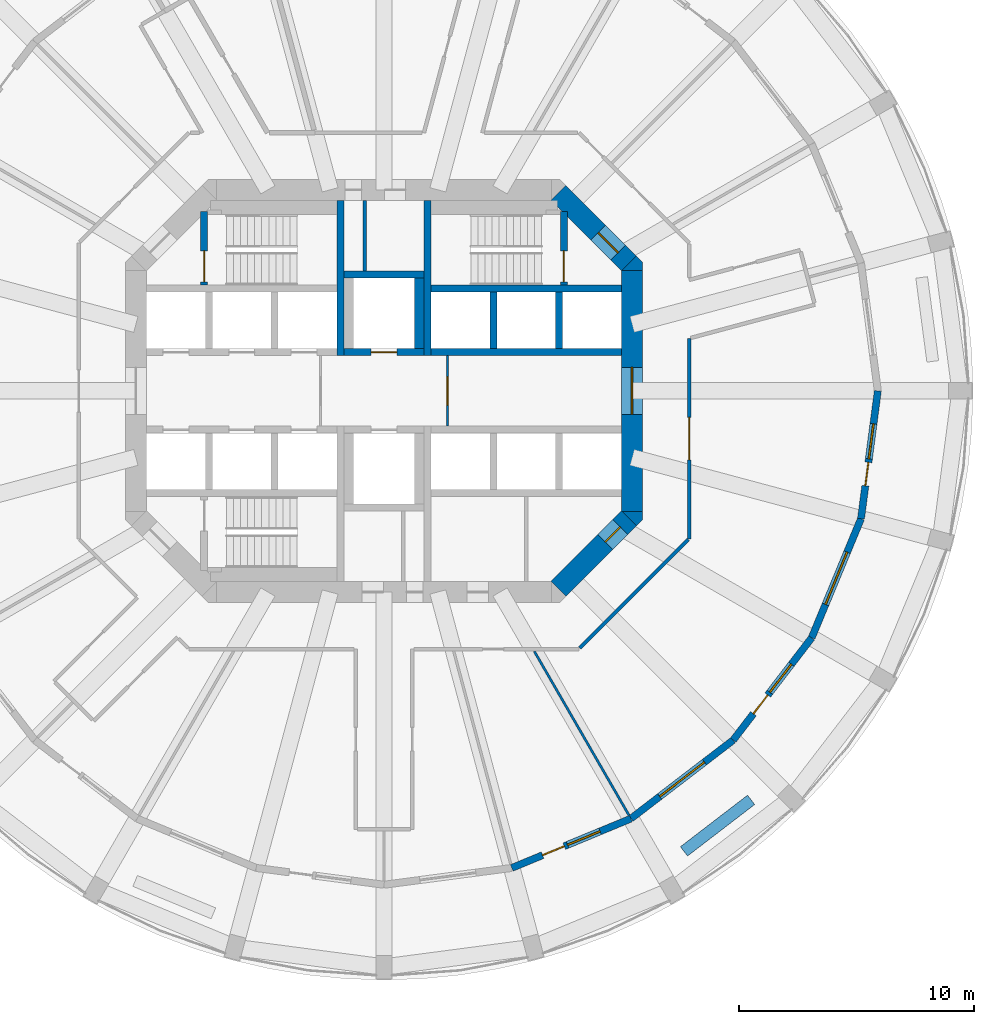
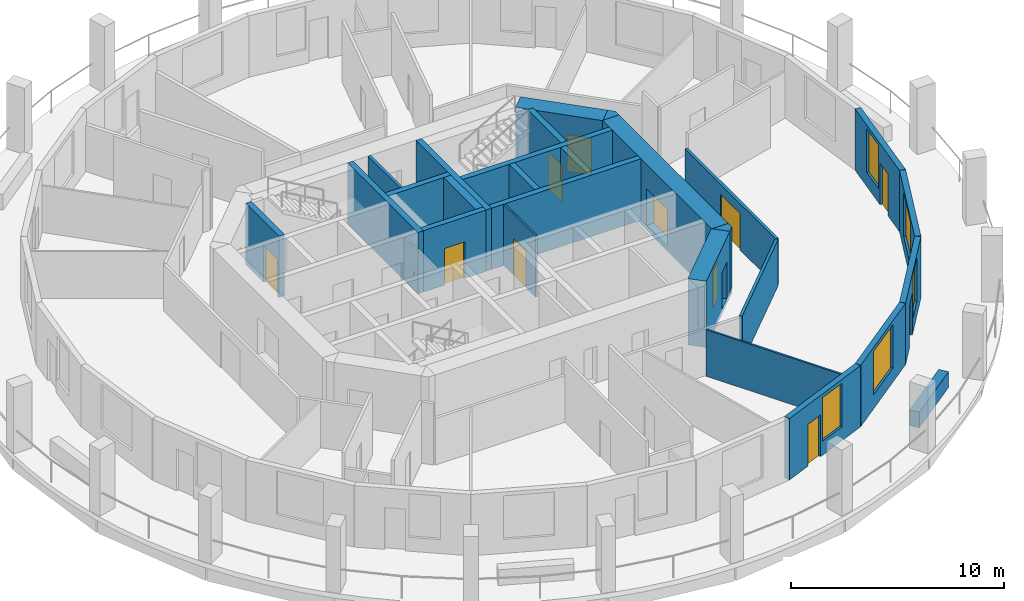
# One storey, part 4 of 8: 27 walls, 11 doors, 5 windows, 16 openings.
"""IFC4 building model written with IfcOpenShell, lengths in metres."""

from ifc_helpers import new_model, si_unit, direction, frame, frame_2d, origin, place, context, subcontext, project, spatial, polyline, rectangle, outline, extrude, material, layer, layer_set, type_object, element, fill, save


model = new_model("IFC4")

# Units and contexts
model_context = context("Model", 3, precision=1e-05, world=origin(), true_north=direction((0.0, 1.0)))
body_context = subcontext(model_context, "Body", "Model", "MODEL_VIEW")
ifc_project = project(units=[si_unit("LENGTHUNIT", "METRE"), si_unit("AREAUNIT", "SQUARE_METRE"), si_unit("VOLUMEUNIT", "CUBIC_METRE"), si_unit("PLANEANGLEUNIT", "RADIAN"), si_unit("MASSUNIT", "GRAM", prefix="KILO")], contexts=[model_context])

# Site, building, storey
site_placement = place(None, origin())
site = spatial("IfcSite", under=ifc_project, at=site_placement, CompositionType="ELEMENT")
building_placement = place(site_placement, origin())
building = spatial("IfcBuilding", under=site, at=building_placement, Name="Torre Triforio", CompositionType="ELEMENT")
storey_placement = place(building_placement, frame((0.0, 0.0, 127.60009765625)))
storey = spatial("IfcBuildingStorey", under=building, at=storey_placement, Name="L28", CompositionType="ELEMENT", Elevation=127.60009765625)

# Walls
ifc_material_1 = material(Name="Concrete C60", Category="concrete")
ifc_layer_1 = layer(ifc_material_1, 0.300048828125)
ifc_layer_set_1 = layer_set([ifc_layer_1], Name="Concrete C60")
wall_type_1 = type_object("IfcWallType", Name="Core wall 300 mm C60 EI 120", PredefinedType="SHEAR", material=ifc_layer_set_1)
for number, where, z_axis, x_axis, name in (
    (1, (-1.85009765625, 1.5, 0.0), (0.0, 0.0, 1.0), (0.0, 1.0, 0.0), "Core wall"),
    (2, (1.85009765625, 1.5, 0.0), (0.0, 0.0, 1.0), (0.0, 1.0, 0.0), "Core wall"),
):
    element("IfcWall", number, at=place(storey_placement, frame(where, z_axis=z_axis, x_axis=x_axis)), inside=storey, type_object=wall_type_1, Name=name, PredefinedType="SHEAR", context=body_context, shape_type="SweptSolid", body=[
        extrude(rectangle(XDim=6.60009765625, YDim=0.300048828125, at=frame_2d((3.300048828125, 0.0))), origin(), (0.0, 0.0, 1.0), 3.52001953125),
    ])

# Wall, opening, door
ifc_layer_2 = layer(ifc_material_1, 0.89990234375)
ifc_layer_set_2 = layer_set([ifc_layer_2], Name="Concrete C60")
wall_type_2 = type_object("IfcWallType", Name="Core wall 900 mm C60 EI 120", PredefinedType="SHEAR", material=ifc_layer_set_2)
wall_1_placement = place(storey_placement, frame((10.550048828125, -5.1298828125, -0.280029296875), z_axis=(0.0, 0.0, 1.0), x_axis=(0.0, 1.0, 0.0)))
wall_1 = element("IfcWall", 3, at=wall_1_placement, inside=storey, type_object=wall_type_2, Name="Core wall", PredefinedType="SHEAR", context=body_context, shape_type="SweptSolid", body=[
    extrude(rectangle(XDim=10.259765625, YDim=0.89990234375, at=frame_2d((5.1298828125, 0.0))), origin(), (0.0, 0.0, 1.0), 3.800048828125),
])
opening_1_placement = place(wall_1_placement, frame((4.1298828125, 0.0, 0.280029296875)))
opening_1 = element("IfcOpeningElement", 4, at=opening_1_placement, cuts=wall_1, Name="Opening E-RING", PredefinedType="OPENING", context=body_context, shape_type="SweptSolid", body=[
    extrude(rectangle(XDim=2.0, YDim=2.10009765625, at=frame_2d((1.0, 1.050048828125))), frame((0.0, 0.4599609375, 0.0), z_axis=(0.0, -1.0, 0.0), x_axis=(1.0, 0.0, 0.0)), (0.0, 0.0, 1.0), 0.919921875),
])
ifc_material_2 = material(Name="Hollow metal fire door leaf")
door_type_1 = type_object("IfcDoorType", Name="Lobby door 2000 x 2100 EI 60", OperationType="DOUBLE_DOOR_SINGLE_SWING", PredefinedType="DOOR", material=ifc_material_2)
door_1_placement = place(opening_1_placement, origin())
door_1 = element("IfcDoor", 5, at=door_1_placement, inside=storey, type_object=door_type_1, Name="Core door E-RING", OperationType="DOUBLE_DOOR_SINGLE_SWING", OverallHeight=2.10009765625, OverallWidth=2.0, PredefinedType="DOOR", context=body_context, shape_type="SweptSolid", body=[
    extrude(rectangle(XDim=2.0, YDim=2.10009765625, at=frame_2d((1.0, 1.050048828125))), frame((0.0, 0.02490234375, 0.0), z_axis=(0.0, -1.0, 0.0), x_axis=(1.0, 0.0, 0.0)), (0.0, 0.0, 1.0), 0.050048828125),
])
fill(opening_1, door_1)

wall_2_placement = place(storey_placement, frame((7.418212890625, 8.418212890625, -0.280029296875), z_axis=(0.0, 0.0, 1.0), x_axis=(0.707106781187, -0.707106781187, 0.0)))
wall_2 = element("IfcWall", 6, at=wall_2_placement, inside=storey, type_object=wall_type_2, Name="Core wall", PredefinedType="SHEAR", context=body_context, shape_type="SweptSolid", body=[
    extrude(rectangle(XDim=4.24267578125, YDim=0.89990234375, at=frame_2d((2.121337890625, 0.0))), origin(), (0.0, 0.0, 1.0), 3.800048828125),
])
opening_2_placement = place(wall_2_placement, frame((2.392578125, 0.0, 0.280029296875)))
opening_2 = element("IfcOpeningElement", 7, at=opening_2_placement, cuts=wall_2, Name="Opening ST2-EXIT", PredefinedType="OPENING", context=body_context, shape_type="SweptSolid", body=[
    extrude(rectangle(XDim=1.199951171875, YDim=2.10009765625, at=frame_2d((0.60009765625, 1.050048828125))), frame((0.0, 0.4599609375, 0.0), z_axis=(0.0, -1.0, 0.0), x_axis=(1.0, 0.0, 0.0)), (0.0, 0.0, 1.0), 0.919921875),
])
door_type_2 = type_object("IfcDoorType", Name="Stair lobby door 1200 x 2100 EI 60", OperationType="NOTDEFINED", PredefinedType="DOOR", material=ifc_material_2)
door_2_placement = place(opening_2_placement, origin())
door_2 = element("IfcDoor", 8, at=door_2_placement, inside=storey, type_object=door_type_2, Name="Core door ST2-EXIT", OperationType="SINGLE_SWING_RIGHT", OverallHeight=2.10009765625, OverallWidth=1.199951171875, PredefinedType="DOOR", context=body_context, shape_type="SweptSolid", body=[
    extrude(rectangle(XDim=1.199951171875, YDim=2.10009765625, at=frame_2d((0.60009765625, 1.050048828125))), frame((0.0, 0.02490234375, 0.0), z_axis=(0.0, -1.0, 0.0), x_axis=(1.0, 0.0, 0.0)), (0.0, 0.0, 1.0), 0.050048828125),
])
fill(opening_2, door_2)

wall_3_placement = place(storey_placement, frame((10.418212890625, -5.418212890625, -0.280029296875), z_axis=(0.0, 0.0, 1.0), x_axis=(-0.707106781187, -0.707106781187, 0.0)))
wall_3 = element("IfcWall", 9, at=wall_3_placement, inside=storey, type_object=wall_type_2, Name="Core wall", PredefinedType="SHEAR", context=body_context, shape_type="SweptSolid", body=[
    extrude(rectangle(XDim=4.24267578125, YDim=0.89990234375, at=frame_2d((2.121337890625, 0.0))), origin(), (0.0, 0.0, 1.0), 3.800048828125),
])
opening_3_placement = place(wall_3_placement, frame((0.52001953125, 0.0, 0.280029296875)))
opening_3 = element("IfcOpeningElement", 10, at=opening_3_placement, cuts=wall_3, Name="Opening SE-02", PredefinedType="OPENING", context=body_context, shape_type="SweptSolid", body=[
    extrude(rectangle(XDim=0.89990234375, YDim=2.10009765625, at=frame_2d((0.449951171875, 1.050048828125))), frame((0.0, 0.4599609375, 0.0), z_axis=(0.0, -1.0, 0.0), x_axis=(1.0, 0.0, 0.0)), (0.0, 0.0, 1.0), 0.919921875),
])
door_type_3 = type_object("IfcDoorType", Name="Room door 900 x 2100 EI 60", OperationType="NOTDEFINED", PredefinedType="DOOR", material=ifc_material_2)
door_3_placement = place(opening_3_placement, origin())
door_3 = element("IfcDoor", 11, at=door_3_placement, inside=storey, type_object=door_type_3, Name="Core door SE-02", OperationType="SINGLE_SWING_RIGHT", OverallHeight=2.10009765625, OverallWidth=0.89990234375, PredefinedType="DOOR", context=body_context, shape_type="SweptSolid", body=[
    extrude(rectangle(XDim=0.89990234375, YDim=2.10009765625, at=frame_2d((0.449951171875, 1.050048828125))), frame((0.0, 0.02490234375, 0.0), z_axis=(0.0, -1.0, 0.0), x_axis=(1.0, 0.0, 0.0)), (0.0, 0.0, 1.0), 0.050048828125),
])
fill(opening_3, door_3)

# Walls
wall_4_placement = place(storey_placement, frame((0.0, 0.0, -0.280029296875)))
element("IfcWall", 12, at=wall_4_placement, inside=storey, type_object=wall_type_2, Name="Core wall", PredefinedType="SHEAR", context=body_context, shape_type="SweptSolid", body=[
    extrude(outline(polyline([(11.0, -5.472900390625), (10.736328125, -5.736328125), (10.1298828125, -5.1298828125), (11.0, -5.1298828125), (11.0, -5.472900390625)])), origin(), (0.0, 0.0, 1.0), 3.800048828125),
])
wall_5_placement = place(storey_placement, frame((0.0, 0.0, -0.280029296875)))
element("IfcWall", 13, at=wall_5_placement, inside=storey, type_object=wall_type_2, Name="Core wall", PredefinedType="SHEAR", context=body_context, shape_type="SweptSolid", body=[
    extrude(outline(polyline([(11.0, 5.472900390625), (11.0, 5.1298828125), (10.1298828125, 5.1298828125), (10.736328125, 5.736328125), (11.0, 5.472900390625)])), origin(), (0.0, 0.0, 1.0), 3.800048828125),
])

# Wall, opening, door
ifc_material_3 = material(Name="Plasterboard on metal studs")
ifc_layer_3 = layer(ifc_material_3, 0.14990234375)
ifc_layer_set_3 = layer_set([ifc_layer_3], Name="Plasterboard on metal studs")
wall_type_3 = type_object("IfcWallType", Name="Corridor and tenancy wall 150 mm EI 60", PredefinedType="PARTITIONING", material=ifc_layer_set_3)
wall_6_placement = place(storey_placement, frame((12.97509765625, 2.234375, 0.0), z_axis=(0.0, 0.0, 1.0), x_axis=(0.0, -1.0, 0.0)))
wall_6 = element("IfcWall", 14, at=wall_6_placement, inside=storey, type_object=wall_type_3, Name="Partition 22", PredefinedType="PARTITIONING", context=body_context, shape_type="SweptSolid", body=[
    extrude(rectangle(XDim=8.525390625, YDim=0.14990234375, at=frame_2d((4.2626953125, 0.0))), origin(), (0.0, 0.0, 1.0), 2.669921875),
])
opening_4_placement = place(wall_6_placement, frame((3.362548828125, 0.0, 0.0)))
opening_4 = element("IfcOpeningElement", 15, at=opening_4_placement, cuts=wall_6, Name="Opening D2-07", PredefinedType="OPENING", context=body_context, shape_type="SweptSolid", body=[
    extrude(rectangle(XDim=1.800048828125, YDim=2.10009765625, at=frame_2d((0.89990234375, 1.050048828125))), frame((0.0, 0.0849609375, 0.0), z_axis=(0.0, -1.0, 0.0), x_axis=(1.0, 0.0, 0.0)), (0.0, 0.0, 1.0), 0.169921875),
])
ifc_material_4 = material(Name="Timber", Category="wood")
door_type_4 = type_object("IfcDoorType", Name="Door 1800 x 2100 double leaf EI 30", OperationType="DOUBLE_DOOR_SINGLE_SWING", PredefinedType="DOOR", material=ifc_material_4)
door_4_placement = place(opening_4_placement, origin())
door_4 = element("IfcDoor", 16, at=door_4_placement, inside=storey, type_object=door_type_4, Name="Door D2-07", OperationType="DOUBLE_DOOR_SINGLE_SWING", OverallHeight=2.10009765625, OverallWidth=1.800048828125, PredefinedType="DOOR", context=body_context, shape_type="SweptSolid", body=[
    extrude(rectangle(XDim=1.800048828125, YDim=2.10009765625, at=frame_2d((0.89990234375, 1.050048828125))), frame((0.0, 0.02490234375, 0.0), z_axis=(0.0, -1.0, 0.0), x_axis=(1.0, 0.0, 0.0)), (0.0, 0.0, 1.0), 0.050048828125),
])
fill(opening_4, door_4)

# Wall
wall_7_placement = place(storey_placement, frame((12.93798828125, -6.327880859375, 0.0), z_axis=(0.0, 0.0, 1.0), x_axis=(-0.707106781187, -0.707106781187, 0.0)))
element("IfcWall", 17, at=wall_7_placement, inside=storey, type_object=wall_type_3, Name="Partition 23", PredefinedType="PARTITIONING", context=body_context, shape_type="SweptSolid", body=[
    extrude(rectangle(XDim=6.519775390625, YDim=0.14990234375, at=frame_2d((3.259765625, 0.0))), origin(), (0.0, 0.0, 1.0), 2.669921875),
])

# Wall, opening, door
ifc_material_5 = material(Name="Block and board partition")
ifc_layer_4 = layer(ifc_material_5, 0.10009765625)
ifc_layer_set_4 = layer_set([ifc_layer_4], Name="Block and board partition")
wall_type_4 = type_object("IfcWallType", Name="Partition 100 mm EI 120", PredefinedType="PARTITIONING", material=ifc_layer_set_4)
wall_8_placement = place(storey_placement, frame((2.699951171875, -1.5, 0.0), z_axis=(0.0, 0.0, 1.0), x_axis=(0.0, 1.0, 0.0)))
wall_8 = element("IfcWall", 18, at=wall_8_placement, inside=storey, type_object=wall_type_4, Name="Partition", PredefinedType="PARTITIONING", context=body_context, shape_type="SweptSolid", body=[
    extrude(rectangle(XDim=3.0, YDim=0.10009765625, at=frame_2d((1.5, 0.0))), origin(), (0.0, 0.0, 1.0), 3.52001953125),
])
opening_5_placement = place(wall_8_placement, frame((0.89990234375, 0.0, 0.0)))
opening_5 = element("IfcOpeningElement", 19, at=opening_5_placement, cuts=wall_8, Name="Opening FF-E", PredefinedType="OPENING", context=body_context, shape_type="SweptSolid", body=[
    extrude(rectangle(XDim=1.199951171875, YDim=2.10009765625, at=frame_2d((0.60009765625, 1.050048828125))), frame((0.0, 0.06005859375, 0.0), z_axis=(0.0, -1.0, 0.0), x_axis=(1.0, 0.0, 0.0)), (0.0, 0.0, 1.0), 0.1201171875),
])
door_type_5 = type_object("IfcDoorType", Name="Fire-fighting lobby door 1200 x 2100 EI 60", OperationType="NOTDEFINED", PredefinedType="DOOR", material=ifc_material_2)
door_5_placement = place(opening_5_placement, origin())
door_5 = element("IfcDoor", 20, at=door_5_placement, inside=storey, type_object=door_type_5, Name="Core door FF-E", OperationType="SINGLE_SWING_RIGHT", OverallHeight=2.10009765625, OverallWidth=1.199951171875, PredefinedType="DOOR", context=body_context, shape_type="SweptSolid", body=[
    extrude(rectangle(XDim=1.199951171875, YDim=2.10009765625, at=frame_2d((0.60009765625, 1.050048828125))), frame((0.0, 0.02490234375, 0.0), z_axis=(0.0, -1.0, 0.0), x_axis=(1.0, 0.0, 0.0)), (0.0, 0.0, 1.0), 0.050048828125),
])
fill(opening_5, door_5)

# Walls
ifc_layer_5 = layer(ifc_material_3, 0.10009765625)
ifc_layer_set_5 = layer_set([ifc_layer_5], Name="Plasterboard on metal studs")
wall_type_5 = type_object("IfcWallType", Name="Partition 100 mm board on metal studs", PredefinedType="PARTITIONING", material=ifc_layer_set_5)
wall_9_placement = place(storey_placement, frame((6.393798828125, -11.07470703125, 0.0), z_axis=(0.0, 0.0, 1.0), x_axis=(0.500024397361, -0.866011317503, 0.0)))
element("IfcWall", 21, at=wall_9_placement, inside=storey, type_object=wall_type_5, Name="Partition 45", PredefinedType="PARTITIONING", context=body_context, shape_type="SweptSolid", body=[
    extrude(rectangle(XDim=8.048828125, YDim=0.10009765625, at=frame_2d((4.0244140625, 0.0))), origin(), (0.0, 0.0, 1.0), 2.669921875),
])
ifc_layer_6 = layer(ifc_material_5, 0.14990234375)
ifc_layer_set_6 = layer_set([ifc_layer_6], Name="Block and board partition")
wall_type_6 = type_object("IfcWallType", Name="Partition 150 mm EI 120", PredefinedType="PARTITIONING", material=ifc_layer_set_6)
wall_10_placement = place(storey_placement, frame((-0.824951171875, 5.10009765625, 0.0), z_axis=(0.0, 0.0, 1.0), x_axis=(0.0, 1.0, 0.0)))
element("IfcWall", 22, at=wall_10_placement, inside=storey, type_object=wall_type_6, Name="Partition", PredefinedType="PARTITIONING", context=body_context, shape_type="SweptSolid", body=[
    extrude(rectangle(XDim=3.0, YDim=0.14990234375, at=frame_2d((1.5, 0.0))), origin(), (0.0, 0.0, 1.0), 3.52001953125),
])
ifc_material_6 = material(Name="Limestone cladding", Category="masonry")
ifc_layer_7 = layer(ifc_material_6, 0.10009765625)
ifc_material_7 = material(Name="Concrete C40", Category="concrete")
ifc_layer_8 = layer(ifc_material_7, 0.39990234375)
ifc_layer_set_7 = layer_set([ifc_layer_7, ifc_layer_8], Name="Limestone cladding / Concrete C40")
wall_type_7 = type_object("IfcWallType", Name="Planter wall 500", PredefinedType="PARAPET", material=ifc_layer_set_7)
wall_11_placement = place(storey_placement, frame((12.756103515625, -19.580810546875, 0.0), z_axis=(0.0, 0.0, 1.0), x_axis=(0.793384730612, 0.608720518162, 0.0)))
element("IfcWall", 23, at=wall_11_placement, inside=storey, type_object=wall_type_7, Name="Planter L28 bay 21", PredefinedType="PARAPET", context=body_context, shape_type="SweptSolid", body=[
    extrude(rectangle(XDim=3.60009765625, YDim=0.5, at=frame_2d((1.800048828125, 0.0))), origin(), (0.0, 0.0, 1.0), 0.89990234375),
])
ifc_layer_9 = layer(ifc_material_1, 0.300048828125)
ifc_layer_set_8 = layer_set([ifc_layer_9], Name="Concrete C60")
wall_type_8 = type_object("IfcWallType", Name="Shaft wall 300 mm C60 EI 120", PredefinedType="SOLIDWALL", material=ifc_layer_set_8)
for number, where, z_axis, x_axis, name in (
    (24, (2.0, 4.35009765625, 0.0), (0.0, 0.0, 1.0), (1.0, 0.0, 0.0), "Shaft wall"),
    (25, (2.0, 1.64990234375, 0.0), (0.0, 0.0, 1.0), (1.0, 0.0, 0.0), "Shaft wall"),
):
    element("IfcWall", number, at=place(storey_placement, frame(where, z_axis=z_axis, x_axis=x_axis)), inside=storey, type_object=wall_type_8, Name=name, PredefinedType="SOLIDWALL", context=body_context, shape_type="SweptSolid", body=[
        extrude(rectangle(XDim=8.10009765625, YDim=0.300048828125, at=frame_2d((4.050048828125, 0.0))), origin(), (0.0, 0.0, 1.0), 3.52001953125),
    ])
for number, where, z_axis, x_axis, name in (
    (26, (4.64990234375, 1.800048828125, 0.0), (0.0, 0.0, 1.0), (0.0, 1.0, 0.0), "Shaft wall"),
    (27, (7.449951171875, 1.800048828125, 0.0), (0.0, 0.0, 1.0), (0.0, 1.0, 0.0), "Shaft wall"),
):
    element("IfcWall", number, at=place(storey_placement, frame(where, z_axis=z_axis, x_axis=x_axis)), inside=storey, type_object=wall_type_8, Name=name, PredefinedType="SOLIDWALL", context=body_context, shape_type="SweptSolid", body=[
        extrude(rectangle(XDim=2.39990234375, YDim=0.300048828125, at=frame_2d((1.199951171875, 0.0))), origin(), (0.0, 0.0, 1.0), 3.52001953125),
    ])

# Wall, opening, door
wall_12_placement = place(storey_placement, frame((-1.699951171875, 1.64990234375, 0.0), z_axis=(0.0, 0.0, 1.0), x_axis=(1.0, 0.0, 0.0)))
wall_12 = element("IfcWall", 28, at=wall_12_placement, inside=storey, type_object=wall_type_8, Name="Shaft wall", PredefinedType="SOLIDWALL", context=body_context, shape_type="SweptSolid", body=[
    extrude(rectangle(XDim=3.39990234375, YDim=0.300048828125, at=frame_2d((1.699951171875, 0.0))), origin(), (0.0, 0.0, 1.0), 3.52001953125),
])
opening_6_placement = place(wall_12_placement, frame((1.14990234375, 0.0, 0.0)))
opening_6 = element("IfcOpeningElement", 29, at=opening_6_placement, cuts=wall_12, Name="Opening LD", PredefinedType="OPENING", context=body_context, shape_type="SweptSolid", body=[
    extrude(rectangle(XDim=1.10009765625, YDim=2.10009765625, at=frame_2d((0.550048828125, 1.050048828125))), frame((0.0, 0.159912109375, 0.0), z_axis=(0.0, -1.0, 0.0), x_axis=(1.0, 0.0, 0.0)), (0.0, 0.0, 1.0), 0.320068359375),
])
door_type_6 = type_object("IfcDoorType", Name="Landing door 1100 x 2100 EI 60", OperationType="DOUBLE_DOOR_SLIDING", PredefinedType="DOOR", material=ifc_material_2)
door_6_placement = place(opening_6_placement, origin())
door_6 = element("IfcDoor", 30, at=door_6_placement, inside=storey, type_object=door_type_6, Name="Landing door FFL1", OperationType="DOUBLE_DOOR_SLIDING", OverallHeight=2.10009765625, OverallWidth=1.10009765625, PredefinedType="DOOR", context=body_context, shape_type="SweptSolid", body=[
    extrude(rectangle(XDim=1.10009765625, YDim=2.10009765625, at=frame_2d((0.550048828125, 1.050048828125))), frame((0.0, 0.02490234375, 0.0), z_axis=(0.0, -1.0, 0.0), x_axis=(1.0, 0.0, 0.0)), (0.0, 0.0, 1.0), 0.050048828125),
])
fill(opening_6, door_6)

# Walls
wall_13_placement = place(storey_placement, frame((-1.699951171875, 4.949951171875, 0.0), z_axis=(0.0, 0.0, 1.0), x_axis=(1.0, 0.0, 0.0)))
element("IfcWall", 31, at=wall_13_placement, inside=storey, type_object=wall_type_8, Name="Shaft wall", PredefinedType="SOLIDWALL", context=body_context, shape_type="SweptSolid", body=[
    extrude(rectangle(XDim=3.39990234375, YDim=0.300048828125, at=frame_2d((1.699951171875, 0.0))), origin(), (0.0, 0.0, 1.0), 3.52001953125),
])
ifc_layer_10 = layer(ifc_material_1, 0.39990234375)
ifc_layer_set_9 = layer_set([ifc_layer_10], Name="Concrete C60")
wall_type_9 = type_object("IfcWallType", Name="Shaft wall 400 mm C60 EI 120", PredefinedType="SOLIDWALL", material=ifc_layer_set_9)
wall_14_placement = place(storey_placement, frame((1.5, 1.800048828125, 0.0), z_axis=(0.0, 0.0, 1.0), x_axis=(0.0, 1.0, 0.0)))
element("IfcWall", 32, at=wall_14_placement, inside=storey, type_object=wall_type_9, Name="Shaft wall", PredefinedType="SOLIDWALL", context=body_context, shape_type="SweptSolid", body=[
    extrude(rectangle(XDim=3.0, YDim=0.39990234375, at=frame_2d((1.5, 0.0))), origin(), (0.0, 0.0, 1.0), 3.52001953125),
])

# Wall, opening, door
ifc_layer_11 = layer(ifc_material_1, 0.300048828125)
ifc_layer_set_10 = layer_set([ifc_layer_11], Name="Concrete C60")
wall_type_10 = type_object("IfcWallType", Name="Stair wall 300 mm C60 EI 120", PredefinedType="SHEAR", material=ifc_layer_set_10)
wall_15_placement = place(storey_placement, frame((-7.64990234375, 4.5, 0.0), z_axis=(0.0, 0.0, 1.0), x_axis=(0.0, 1.0, 0.0)))
wall_15 = element("IfcWall", 33, at=wall_15_placement, inside=storey, type_object=wall_type_10, Name="Stair wall", PredefinedType="SHEAR", context=body_context, shape_type="SweptSolid", body=[
    extrude(rectangle(XDim=3.139892578125, YDim=0.300048828125, at=frame_2d((1.56982421875, 0.0))), origin(), (0.0, 0.0, 1.0), 3.52001953125),
])
opening_7_placement = place(wall_15_placement, frame((0.139892578125, 0.0, 0.0)))
opening_7 = element("IfcOpeningElement", 34, at=opening_7_placement, cuts=wall_15, Name="Opening ST1-STA", PredefinedType="OPENING", context=body_context, shape_type="SweptSolid", body=[
    extrude(rectangle(XDim=1.320068359375, YDim=2.10009765625, at=frame_2d((0.66015625, 1.050048828125))), frame((0.0, 0.159912109375, 0.0), z_axis=(0.0, -1.0, 0.0), x_axis=(1.0, 0.0, 0.0)), (0.0, 0.0, 1.0), 0.320068359375),
])
door_type_7 = type_object("IfcDoorType", Name="Stair door 1320 x 2100 EI 90", OperationType="DOUBLE_DOOR_SINGLE_SWING", PredefinedType="DOOR", material=ifc_material_2)
door_7_placement = place(opening_7_placement, origin())
door_7 = element("IfcDoor", 35, at=door_7_placement, inside=storey, type_object=door_type_7, Name="Core door ST1-ST", OperationType="DOUBLE_DOOR_SINGLE_SWING", OverallHeight=2.10009765625, OverallWidth=1.320068359375, PredefinedType="DOOR", context=body_context, shape_type="SweptSolid", body=[
    extrude(rectangle(XDim=1.320068359375, YDim=2.10009765625, at=frame_2d((0.66015625, 1.050048828125))), frame((0.0, 0.02490234375, 0.0), z_axis=(0.0, -1.0, 0.0), x_axis=(1.0, 0.0, 0.0)), (0.0, 0.0, 1.0), 0.050048828125),
])
fill(opening_7, door_7)

wall_16_placement = place(storey_placement, frame((7.64990234375, 4.5, 0.0), z_axis=(0.0, 0.0, 1.0), x_axis=(0.0, 1.0, 0.0)))
wall_16 = element("IfcWall", 36, at=wall_16_placement, inside=storey, type_object=wall_type_10, Name="Stair wall", PredefinedType="SHEAR", context=body_context, shape_type="SweptSolid", body=[
    extrude(rectangle(XDim=3.139892578125, YDim=0.300048828125, at=frame_2d((1.56982421875, 0.0))), origin(), (0.0, 0.0, 1.0), 3.52001953125),
])
opening_8_placement = place(wall_16_placement, frame((0.139892578125, 0.0, 0.0)))
opening_8 = element("IfcOpeningElement", 37, at=opening_8_placement, cuts=wall_16, Name="Opening ST2-STA", PredefinedType="OPENING", context=body_context, shape_type="SweptSolid", body=[
    extrude(rectangle(XDim=1.320068359375, YDim=2.10009765625, at=frame_2d((0.66015625, 1.050048828125))), frame((0.0, 0.159912109375, 0.0), z_axis=(0.0, -1.0, 0.0), x_axis=(1.0, 0.0, 0.0)), (0.0, 0.0, 1.0), 0.320068359375),
])
door_8_placement = place(opening_8_placement, origin())
door_8 = element("IfcDoor", 38, at=door_8_placement, inside=storey, type_object=door_type_7, Name="Core door ST2-ST", OperationType="DOUBLE_DOOR_SINGLE_SWING", OverallHeight=2.10009765625, OverallWidth=1.320068359375, PredefinedType="DOOR", context=body_context, shape_type="SweptSolid", body=[
    extrude(rectangle(XDim=1.320068359375, YDim=2.10009765625, at=frame_2d((0.66015625, 1.050048828125))), frame((0.0, 0.02490234375, 0.0), z_axis=(0.0, -1.0, 0.0), x_axis=(1.0, 0.0, 0.0)), (0.0, 0.0, 1.0), 0.050048828125),
])
fill(opening_8, door_8)

# Wall, openings, door, window
ifc_layer_12 = layer(ifc_material_6, 0.10009765625)
ifc_layer_13 = layer(ifc_material_7, 0.199951171875)
ifc_layer_set_11 = layer_set([ifc_layer_12, ifc_layer_13], Name="Limestone cladding / Concrete C40")
wall_type_11 = type_object("IfcWallType", Name="Stone-faced composite wall 300", PredefinedType="STANDARD", material=ifc_layer_set_11)
wall_17_placement = place(storey_placement, frame((5.435302734375, -20.284423828125, 0.0), z_axis=(0.0, 0.0, 1.0), x_axis=(0.923877333662, 0.382688740813, 0.0)))
wall_17 = element("IfcWall", 39, at=wall_17_placement, inside=storey, type_object=wall_type_11, Name="External wall L28 bay 20", PredefinedType="STANDARD", context=body_context, shape_type="SweptSolid", body=[
    extrude(rectangle(XDim=5.48193359375, YDim=0.300048828125, at=frame_2d((2.740966796875, 0.0))), origin(), (0.0, 0.0, 1.0), 3.52001953125),
])
opening_9_placement = place(wall_17_placement, frame((1.416015625, 0.0, 0.0)))
opening_9 = element("IfcOpeningElement", 40, at=opening_9_placement, cuts=wall_17, Name="Opening D2-D20", PredefinedType="OPENING", context=body_context, shape_type="SweptSolid", body=[
    extrude(rectangle(XDim=1.0, YDim=2.39990234375, at=frame_2d((0.5, 1.199951171875))), frame((0.0, 0.159912109375, 0.0), z_axis=(0.0, -1.0, 0.0), x_axis=(1.0, 0.0, 0.0)), (0.0, 0.0, 1.0), 0.320068359375),
])
opening_10_placement = place(wall_17_placement, frame((2.566162109375, 0.0, 0.800048828125)))
opening_10 = element("IfcOpeningElement", 41, at=opening_10_placement, cuts=wall_17, Name="Opening D2-W20A", PredefinedType="OPENING", context=body_context, shape_type="SweptSolid", body=[
    extrude(rectangle(XDim=1.5, YDim=2.5, at=frame_2d((0.75, 1.25))), frame((0.0, 0.159912109375, 0.0), z_axis=(0.0, -1.0, 0.0), x_axis=(1.0, 0.0, 0.0)), (0.0, 0.0, 1.0), 0.320068359375),
])
ifc_material_8 = material(Name="Aluminium frame with clear double glazing", Category="aluminium")
door_type_8 = type_object("IfcDoorType", Name="Loggia door 1000 x 2400", OperationType="NOTDEFINED", PredefinedType="DOOR", material=ifc_material_8)
door_9_placement = place(opening_9_placement, origin())
door_9 = element("IfcDoor", 42, at=door_9_placement, inside=storey, type_object=door_type_8, Name="Loggia door L28 bay 20", OperationType="SINGLE_SWING_LEFT", OverallHeight=2.39990234375, OverallWidth=1.0, PredefinedType="DOOR", context=body_context, shape_type="SweptSolid", body=[
    extrude(rectangle(XDim=1.0, YDim=2.39990234375, at=frame_2d((0.5, 1.199951171875))), frame((0.0, 0.02490234375, 0.0), z_axis=(0.0, -1.0, 0.0), x_axis=(1.0, 0.0, 0.0)), (0.0, 0.0, 1.0), 0.050048828125),
])
fill(opening_9, door_9)
window_type_1 = type_object("IfcWindowType", Name="Side window 1500 x 2500", PartitioningType="SINGLE_PANEL", PredefinedType="WINDOW", material=ifc_material_8)
window_1_placement = place(opening_10_placement, origin())
window_1 = element("IfcWindow", 43, at=window_1_placement, inside=storey, type_object=window_type_1, Name="Side window EWN13 L28 bay 20", OverallHeight=2.5, OverallWidth=1.5, PartitioningType="SINGLE_PANEL", PredefinedType="WINDOW", context=body_context, shape_type="SweptSolid", body=[
    extrude(rectangle(XDim=1.5, YDim=2.5, at=frame_2d((0.75, 1.25))), frame((0.0, 0.030029296875, 0.0), z_axis=(0.0, -1.0, 0.0), x_axis=(1.0, 0.0, 0.0)), (0.0, 0.0, 1.0), 0.06005859375),
])
fill(opening_10, window_1)

# Wall, opening, window
wall_18_placement = place(storey_placement, frame((10.5, -18.1865234375, 0.0), z_axis=(0.0, 0.0, 1.0), x_axis=(0.793335336593, 0.608784891166, 0.0)))
wall_18 = element("IfcWall", 44, at=wall_18_placement, inside=storey, type_object=wall_type_11, Name="External wall L28 bay 21", PredefinedType="STANDARD", context=body_context, shape_type="SweptSolid", body=[
    extrude(rectangle(XDim=5.482177734375, YDim=0.300048828125, at=frame_2d((2.7412109375, 0.0))), origin(), (0.0, 0.0, 1.0), 3.52001953125),
])
opening_11_placement = place(wall_18_placement, frame((1.541015625, 0.0, 0.800048828125)))
opening_11 = element("IfcOpeningElement", 45, at=opening_11_placement, cuts=wall_18, Name="Opening D2-W21", PredefinedType="OPENING", context=body_context, shape_type="SweptSolid", body=[
    extrude(rectangle(XDim=2.39990234375, YDim=2.5, at=frame_2d((1.199951171875, 1.25))), frame((0.0, 0.159912109375, 0.0), z_axis=(0.0, -1.0, 0.0), x_axis=(1.0, 0.0, 0.0)), (0.0, 0.0, 1.0), 0.320068359375),
])
window_type_2 = type_object("IfcWindowType", Name="Punched window 2400 x 2500", PartitioningType="DOUBLE_PANEL_VERTICAL", PredefinedType="WINDOW", material=ifc_material_8)
window_2_placement = place(opening_11_placement, origin())
window_2 = element("IfcWindow", 46, at=window_2_placement, inside=storey, type_object=window_type_2, Name="Window EWN3 L28 bay 21", OverallHeight=2.5, OverallWidth=2.39990234375, PartitioningType="SINGLE_PANEL", PredefinedType="WINDOW", context=body_context, shape_type="SweptSolid", body=[
    extrude(rectangle(XDim=2.39990234375, YDim=2.5, at=frame_2d((1.199951171875, 1.25))), frame((0.0, 0.030029296875, 0.0), z_axis=(0.0, -1.0, 0.0), x_axis=(1.0, 0.0, 0.0)), (0.0, 0.0, 1.0), 0.06005859375),
])
fill(opening_11, window_2)

# Wall, openings, door, window
wall_19_placement = place(storey_placement, frame((14.84912109375, -14.84912109375, 0.0), z_axis=(0.0, 0.0, 1.0), x_axis=(0.608784891166, 0.793335336593, 0.0)))
wall_19 = element("IfcWall", 47, at=wall_19_placement, inside=storey, type_object=wall_type_11, Name="External wall L28 bay 22", PredefinedType="STANDARD", context=body_context, shape_type="SweptSolid", body=[
    extrude(rectangle(XDim=5.482177734375, YDim=0.300048828125, at=frame_2d((2.7412109375, 0.0))), origin(), (0.0, 0.0, 1.0), 3.52001953125),
])
opening_12_placement = place(wall_19_placement, frame((1.416015625, 0.0, 0.0)))
opening_12 = element("IfcOpeningElement", 48, at=opening_12_placement, cuts=wall_19, Name="Opening D2-D22", PredefinedType="OPENING", context=body_context, shape_type="SweptSolid", body=[
    extrude(rectangle(XDim=1.0, YDim=2.39990234375, at=frame_2d((0.5, 1.199951171875))), frame((0.0, 0.159912109375, 0.0), z_axis=(0.0, -1.0, 0.0), x_axis=(1.0, 0.0, 0.0)), (0.0, 0.0, 1.0), 0.320068359375),
])
opening_13_placement = place(wall_19_placement, frame((2.56591796875, 0.0, 0.800048828125)))
opening_13 = element("IfcOpeningElement", 49, at=opening_13_placement, cuts=wall_19, Name="Opening D2-W22A", PredefinedType="OPENING", context=body_context, shape_type="SweptSolid", body=[
    extrude(rectangle(XDim=1.5, YDim=2.5, at=frame_2d((0.75, 1.25))), frame((0.0, 0.159912109375, 0.0), z_axis=(0.0, -1.0, 0.0), x_axis=(1.0, 0.0, 0.0)), (0.0, 0.0, 1.0), 0.320068359375),
])
door_10_placement = place(opening_12_placement, origin())
door_10 = element("IfcDoor", 50, at=door_10_placement, inside=storey, type_object=door_type_8, Name="Loggia door L28 bay 22", OperationType="SINGLE_SWING_LEFT", OverallHeight=2.39990234375, OverallWidth=1.0, PredefinedType="DOOR", context=body_context, shape_type="SweptSolid", body=[
    extrude(rectangle(XDim=1.0, YDim=2.39990234375, at=frame_2d((0.5, 1.199951171875))), frame((0.0, 0.02490234375, 0.0), z_axis=(0.0, -1.0, 0.0), x_axis=(1.0, 0.0, 0.0)), (0.0, 0.0, 1.0), 0.050048828125),
])
fill(opening_12, door_10)
window_3_placement = place(opening_13_placement, origin())
window_3 = element("IfcWindow", 51, at=window_3_placement, inside=storey, type_object=window_type_1, Name="Side window EWN13 L28 bay 22", OverallHeight=2.5, OverallWidth=1.5, PartitioningType="SINGLE_PANEL", PredefinedType="WINDOW", context=body_context, shape_type="SweptSolid", body=[
    extrude(rectangle(XDim=1.5, YDim=2.5, at=frame_2d((0.75, 1.25))), frame((0.0, 0.030029296875, 0.0), z_axis=(0.0, -1.0, 0.0), x_axis=(1.0, 0.0, 0.0)), (0.0, 0.0, 1.0), 0.06005859375),
])
fill(opening_13, window_3)

# Wall, opening, window
wall_20_placement = place(storey_placement, frame((18.1865234375, -10.5, 0.0), z_axis=(0.0, 0.0, 1.0), x_axis=(0.382688740813, 0.923877333662, 0.0)))
wall_20 = element("IfcWall", 52, at=wall_20_placement, inside=storey, type_object=wall_type_11, Name="External wall L28 bay 23", PredefinedType="STANDARD", context=body_context, shape_type="SweptSolid", body=[
    extrude(rectangle(XDim=5.48193359375, YDim=0.300048828125, at=frame_2d((2.740966796875, 0.0))), origin(), (0.0, 0.0, 1.0), 3.52001953125),
])
opening_14_placement = place(wall_20_placement, frame((1.541015625, 0.0, 0.800048828125)))
opening_14 = element("IfcOpeningElement", 53, at=opening_14_placement, cuts=wall_20, Name="Opening D2-W23", PredefinedType="OPENING", context=body_context, shape_type="SweptSolid", body=[
    extrude(rectangle(XDim=2.39990234375, YDim=2.5, at=frame_2d((1.199951171875, 1.25))), frame((0.0, 0.159912109375, 0.0), z_axis=(0.0, -1.0, 0.0), x_axis=(1.0, 0.0, 0.0)), (0.0, 0.0, 1.0), 0.320068359375),
])
window_4_placement = place(opening_14_placement, origin())
window_4 = element("IfcWindow", 54, at=window_4_placement, inside=storey, type_object=window_type_2, Name="Window EWN3 L28 bay 23", OverallHeight=2.5, OverallWidth=2.39990234375, PartitioningType="SINGLE_PANEL", PredefinedType="WINDOW", context=body_context, shape_type="SweptSolid", body=[
    extrude(rectangle(XDim=2.39990234375, YDim=2.5, at=frame_2d((1.199951171875, 1.25))), frame((0.0, 0.030029296875, 0.0), z_axis=(0.0, -1.0, 0.0), x_axis=(1.0, 0.0, 0.0)), (0.0, 0.0, 1.0), 0.06005859375),
])
fill(opening_14, window_4)

# Wall, openings, door, window
wall_21_placement = place(storey_placement, frame((20.284423828125, -5.435302734375, 0.0), z_axis=(0.0, 0.0, 1.0), x_axis=(0.130527087244, 0.991444743541, 0.0)))
wall_21 = element("IfcWall", 55, at=wall_21_placement, inside=storey, type_object=wall_type_11, Name="External wall L28 bay 24", PredefinedType="STANDARD", context=body_context, shape_type="SweptSolid", body=[
    extrude(rectangle(XDim=5.482177734375, YDim=0.300048828125, at=frame_2d((2.7412109375, 0.0))), origin(), (0.0, 0.0, 1.0), 3.52001953125),
])
opening_15_placement = place(wall_21_placement, frame((1.416015625, 0.0, 0.0)))
opening_15 = element("IfcOpeningElement", 56, at=opening_15_placement, cuts=wall_21, Name="Opening D2-D24", PredefinedType="OPENING", context=body_context, shape_type="SweptSolid", body=[
    extrude(rectangle(XDim=1.0, YDim=2.39990234375, at=frame_2d((0.5, 1.199951171875))), frame((0.0, 0.159912109375, 0.0), z_axis=(0.0, -1.0, 0.0), x_axis=(1.0, 0.0, 0.0)), (0.0, 0.0, 1.0), 0.320068359375),
])
opening_16_placement = place(wall_21_placement, frame((2.566162109375, 0.0, 0.800048828125)))
opening_16 = element("IfcOpeningElement", 57, at=opening_16_placement, cuts=wall_21, Name="Opening D2-W24A", PredefinedType="OPENING", context=body_context, shape_type="SweptSolid", body=[
    extrude(rectangle(XDim=1.5, YDim=2.5, at=frame_2d((0.75, 1.25))), frame((0.0, 0.159912109375, 0.0), z_axis=(0.0, -1.0, 0.0), x_axis=(1.0, 0.0, 0.0)), (0.0, 0.0, 1.0), 0.320068359375),
])
door_11_placement = place(opening_15_placement, origin())
door_11 = element("IfcDoor", 58, at=door_11_placement, inside=storey, type_object=door_type_8, Name="Loggia door L28 bay 24", OperationType="SINGLE_SWING_LEFT", OverallHeight=2.39990234375, OverallWidth=1.0, PredefinedType="DOOR", context=body_context, shape_type="SweptSolid", body=[
    extrude(rectangle(XDim=1.0, YDim=2.39990234375, at=frame_2d((0.5, 1.199951171875))), frame((0.0, 0.02490234375, 0.0), z_axis=(0.0, -1.0, 0.0), x_axis=(1.0, 0.0, 0.0)), (0.0, 0.0, 1.0), 0.050048828125),
])
fill(opening_15, door_11)
window_5_placement = place(opening_16_placement, origin())
window_5 = element("IfcWindow", 59, at=window_5_placement, inside=storey, type_object=window_type_1, Name="Side window EWN13 L28 bay 24", OverallHeight=2.5, OverallWidth=1.5, PartitioningType="SINGLE_PANEL", PredefinedType="WINDOW", context=body_context, shape_type="SweptSolid", body=[
    extrude(rectangle(XDim=1.5, YDim=2.5, at=frame_2d((0.75, 1.25))), frame((0.0, 0.030029296875, 0.0), z_axis=(0.0, -1.0, 0.0), x_axis=(1.0, 0.0, 0.0)), (0.0, 0.0, 1.0), 0.06005859375),
])
fill(opening_16, window_5)

save(model, "model.ifc")
